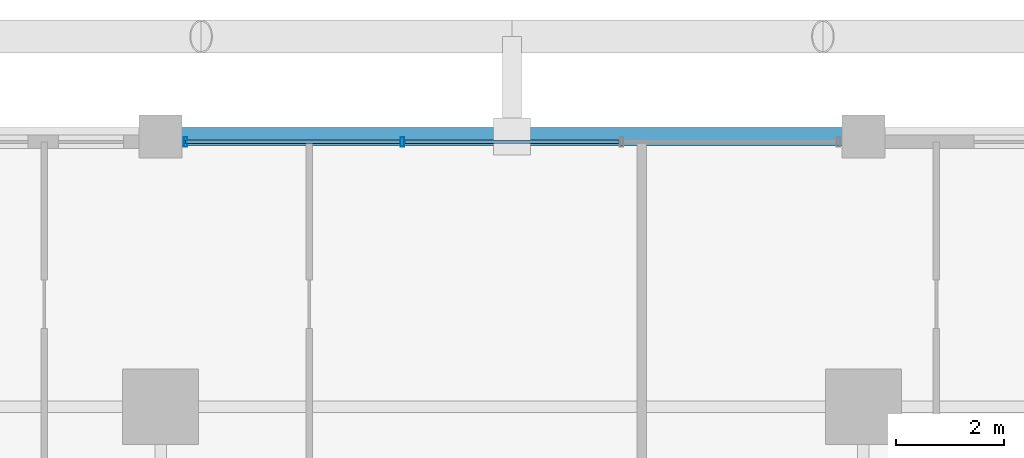
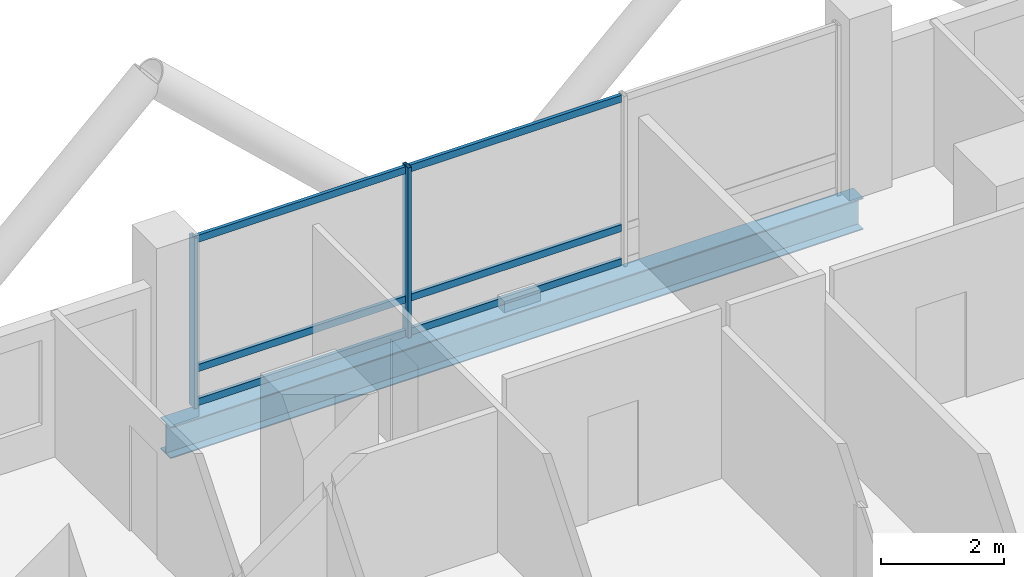
# One storey, part 15 of 27: 8 members, 1 beam, 1 element without a shape of its own.
"""IFC4 building model written with IfcOpenShell, lengths in metres."""

from ifc_helpers import new_model, si_unit, direction, frame, origin, origin_2d, place, context, subcontext, project, spatial, hollow_rectangle, i_section, extrude, material, layer, layer_set, material_profile, profile_set, type_object, element, aggregate, save


model = new_model("IFC4")

# Units and contexts
model_context = context("Model", 3, precision=1e-05, world=origin(), true_north=direction((0.0, 1.0)))
body_context = subcontext(model_context, "Body", "Model", "MODEL_VIEW")
ifc_project = project(units=[si_unit("LENGTHUNIT", "METRE"), si_unit("AREAUNIT", "SQUARE_METRE"), si_unit("VOLUMEUNIT", "CUBIC_METRE"), si_unit("PLANEANGLEUNIT", "RADIAN"), si_unit("MASSUNIT", "GRAM", prefix="KILO")], contexts=[model_context])

# Site, building, storey
site_placement = place(None, origin())
site = spatial("IfcSite", under=ifc_project, at=site_placement, CompositionType="ELEMENT")
building_placement = place(site_placement, origin())
building = spatial("IfcBuilding", under=site, at=building_placement, Name="Barlavira Tower and Art Museum", CompositionType="ELEMENT")
storey_placement = place(building_placement, frame((0.0, 0.0, 61.199951171875)))
storey = spatial("IfcBuildingStorey", under=building, at=storey_placement, Name="L14", CompositionType="ELEMENT", Elevation=61.199951171875)

# Curtain wall, members
ifc_material_1 = material(Name="Low-iron coastal laminated glass", Category="glass")
ifc_layer = layer(ifc_material_1, 0.179931640625, Name="Low-iron coastal laminated glass")
ifc_layer_set = layer_set([ifc_layer], Name="Low-iron coastal laminated glass")
curtain_wall_type = type_object("IfcCurtainWallType", Name="Pale-Metal Unitised Curtain Wall Zone 1", PredefinedType="NOTDEFINED", material=ifc_layer_set)
curtain_wall_placement = place(storey_placement, origin())
curtain_wall = element("IfcCurtainWall", 1, at=curtain_wall_placement, inside=storey, type_object=curtain_wall_type, Name="L14 Curtain Wall CW1-L14-N-B3", PredefinedType="NOTDEFINED")
ifc_material_2 = material(Name="Pale anodised aluminium", Category="aluminium")
ifc_material_profile_1 = material_profile(ifc_material_2, hollow_rectangle(XDim=0.06494140625, YDim=0.179931640625, WallThickness=0.00390625, at=origin_2d()), Name="ALU-MULL 65x180x4")
ifc_profile_set_1 = profile_set([ifc_material_profile_1], Name="Pale anodised aluminium")
member_type_1 = type_object("IfcMemberType", Name="Curtain Wall Pale-Metal Mullion 65x180", PredefinedType="MULLION", material=ifc_profile_set_1)
member_1_placement = place(storey_placement, frame((-2.026611328125, 24.89990234375, 0.0), z_axis=(0.0, 0.0, 1.0), x_axis=(-1.0, 0.0, 0.0)))
member_1 = element("IfcMember", 2, at=member_1_placement, type_object=member_type_1, Name="CW1-L14-N-B3 Mullion 2", PredefinedType="MULLION", context=body_context, shape_type="SweptSolid", body=[
    extrude(hollow_rectangle(XDim=0.06494140625, YDim=0.179931640625, WallThickness=0.00390625, at=origin_2d()), origin(), (0.0, 0.0, 1.0), 3.380126953125),
])
member_2_placement = place(storey_placement, frame((-6.034912109375, 24.89990234375, 0.0), z_axis=(0.0, 0.0, 1.0), x_axis=(-1.0, 0.0, 0.0)))
member_2 = element("IfcMember", 3, at=member_2_placement, type_object=member_type_1, Name="CW1-L14-N-B3 Mullion 3", PredefinedType="MULLION", context=body_context, shape_type="SweptSolid", body=[
    extrude(hollow_rectangle(XDim=0.06494140625, YDim=0.179931640625, WallThickness=0.00390625, at=origin_2d()), origin(), (0.0, 0.0, 1.0), 3.380126953125),
])
ifc_material_profile_2 = material_profile(ifc_material_2, hollow_rectangle(XDim=0.06494140625, YDim=0.139892578125, WallThickness=0.00390625, at=origin_2d()), Name="ALU-TRAN 65x140x4")
ifc_profile_set_2 = profile_set([ifc_material_profile_2], Name="Pale anodised aluminium")
member_type_2 = type_object("IfcMemberType", Name="Curtain Wall Pale-Metal Transom 65x140", PredefinedType="USERDEFINED", material=ifc_profile_set_2)
member_3_placement = place(storey_placement, frame((1.981689453125, 24.89990234375, 0.070068359375), z_axis=(-1.0, 0.0, 0.0), x_axis=(0.0, -1.0, 0.0)))
member_3 = element("IfcMember", 4, at=member_3_placement, type_object=member_type_2, Name="CW1-L14-N-B3 Transom 1.1", ObjectType="TRANSOM", PredefinedType="USERDEFINED", context=body_context, shape_type="SweptSolid", body=[
    extrude(hollow_rectangle(XDim=0.06494140625, YDim=0.139892578125, WallThickness=0.00390625, at=origin_2d()), origin(), (0.0, 0.0, 1.0), 3.96337890625),
])
member_4_placement = place(storey_placement, frame((1.981689453125, 24.89990234375, 0.744140625), z_axis=(-1.0, 0.0, 0.0), x_axis=(0.0, -1.0, 0.0)))
member_4 = element("IfcMember", 5, at=member_4_placement, type_object=member_type_2, Name="CW1-L14-N-B3 Transom 1.2", ObjectType="TRANSOM", PredefinedType="USERDEFINED", context=body_context, shape_type="SweptSolid", body=[
    extrude(hollow_rectangle(XDim=0.06494140625, YDim=0.139892578125, WallThickness=0.00390625, at=origin_2d()), origin(), (0.0, 0.0, 1.0), 3.96337890625),
])
member_5_placement = place(storey_placement, frame((1.981689453125, 24.89990234375, 3.31005859375), z_axis=(-1.0, 0.0, 0.0), x_axis=(0.0, -1.0, 0.0)))
member_5 = element("IfcMember", 6, at=member_5_placement, type_object=member_type_2, Name="CW1-L14-N-B3 Transom 1.3", ObjectType="TRANSOM", PredefinedType="USERDEFINED", context=body_context, shape_type="SweptSolid", body=[
    extrude(hollow_rectangle(XDim=0.06494140625, YDim=0.139892578125, WallThickness=0.00390625, at=origin_2d()), origin(), (0.0, 0.0, 1.0), 3.96337890625),
])
member_6_placement = place(storey_placement, frame((-2.07177734375, 24.89990234375, 0.070068359375), z_axis=(-1.0, 0.0, 0.0), x_axis=(0.0, -1.0, 0.0)))
member_6 = element("IfcMember", 7, at=member_6_placement, type_object=member_type_2, Name="CW1-L14-N-B3 Transom 2.1", ObjectType="TRANSOM", PredefinedType="USERDEFINED", context=body_context, shape_type="SweptSolid", body=[
    extrude(hollow_rectangle(XDim=0.06494140625, YDim=0.139892578125, WallThickness=0.00390625, at=origin_2d()), origin(), (0.0, 0.0, 1.0), 3.963134765625),
])
member_7_placement = place(storey_placement, frame((-2.07177734375, 24.89990234375, 0.744140625), z_axis=(-1.0, 0.0, 0.0), x_axis=(0.0, -1.0, 0.0)))
member_7 = element("IfcMember", 8, at=member_7_placement, type_object=member_type_2, Name="CW1-L14-N-B3 Transom 2.2", ObjectType="TRANSOM", PredefinedType="USERDEFINED", context=body_context, shape_type="SweptSolid", body=[
    extrude(hollow_rectangle(XDim=0.06494140625, YDim=0.139892578125, WallThickness=0.00390625, at=origin_2d()), origin(), (0.0, 0.0, 1.0), 3.963134765625),
])
member_8_placement = place(storey_placement, frame((-2.07177734375, 24.89990234375, 3.31005859375), z_axis=(-1.0, 0.0, 0.0), x_axis=(0.0, -1.0, 0.0)))
member_8 = element("IfcMember", 9, at=member_8_placement, type_object=member_type_2, Name="CW1-L14-N-B3 Transom 2.3", ObjectType="TRANSOM", PredefinedType="USERDEFINED", context=body_context, shape_type="SweptSolid", body=[
    extrude(hollow_rectangle(XDim=0.06494140625, YDim=0.139892578125, WallThickness=0.00390625, at=origin_2d()), origin(), (0.0, 0.0, 1.0), 3.963134765625),
])
aggregate(curtain_wall, [member_1, member_2, member_3, member_4, member_5, member_6, member_7, member_8])

# Beam
ifc_material_3 = material(Name="Steel S355", Category="steel")
ifc_material_profile_3 = material_profile(ifc_material_3, i_section(OverallWidth=0.327880859375, OverallDepth=0.62890625, WebThickness=0.013916015625, FlangeThickness=0.021484375, at=origin_2d()), Name="W610x174.0")
ifc_profile_set_3 = profile_set([ifc_material_profile_3], Name="Steel S355")
beam_type = type_object("IfcBeamType", Name="Perimeter Spandrel Edge Beam W610x174 Steel S355", PredefinedType="SPANDREL", material=ifc_profile_set_3)
beam_placement = place(storey_placement, frame((-6.5, 25.0, -0.534423828125), z_axis=(1.0, 0.0, 0.0), x_axis=(0.0, 1.0, 0.0)))
element("IfcBeam", 10, at=beam_placement, inside=storey, type_object=beam_type, Name="L14 Spandrel 10", PredefinedType="SPANDREL", context=body_context, shape_type="SweptSolid", body=[
    extrude(i_section(OverallWidth=0.327880859375, OverallDepth=0.62890625, WebThickness=0.013916015625, FlangeThickness=0.021484375, at=origin_2d()), origin(), (0.0, 0.0, 1.0), 13.0),
])

save(model, "model.ifc")
